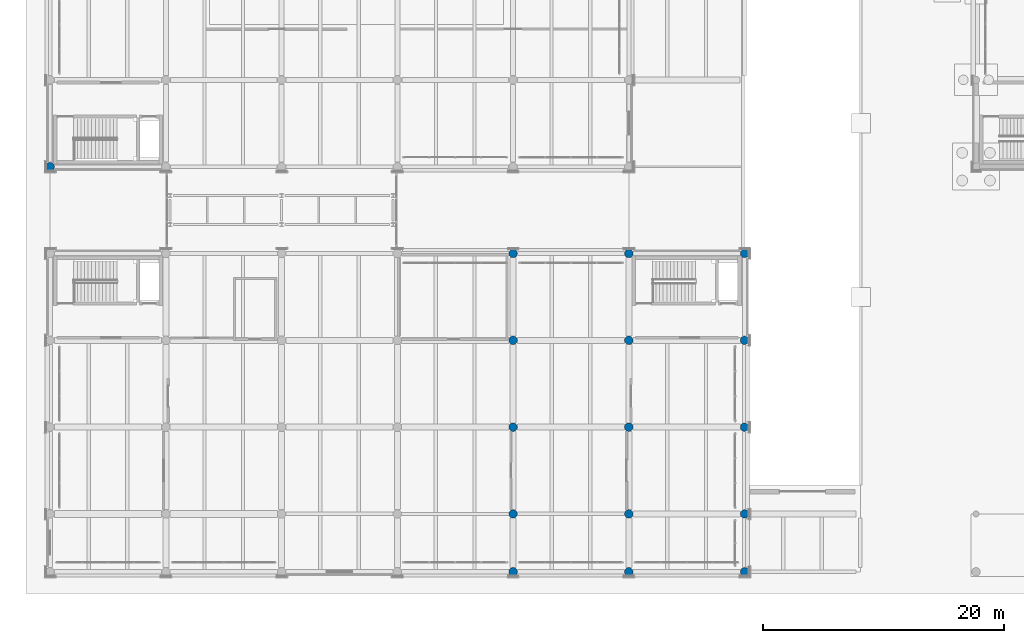
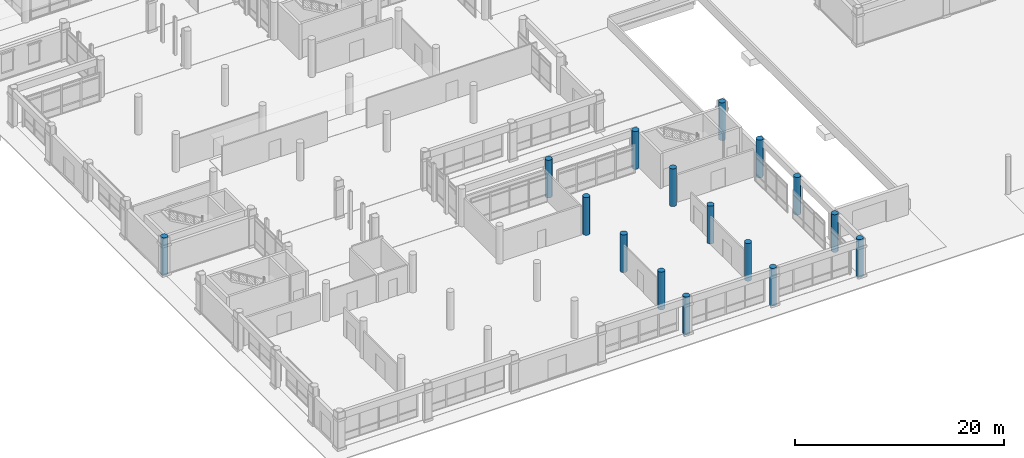
# One storey, part 11 of 196: 16 columns.
"""IFC4 building model written with IfcOpenShell, lengths in metres."""

from ifc_helpers import new_model, si_unit, direction, frame, origin, origin_2d, place, context, subcontext, project, spatial, circle, extrude, material, material_profile, profile_set, type_object, element, save


model = new_model("IFC4")

# Units and contexts
model_context = context("Model", 3, precision=1e-05, world=origin(), true_north=direction((0.0, 1.0)))
body_context = subcontext(model_context, "Body", "Model", "MODEL_VIEW")
ifc_project = project(units=[si_unit("LENGTHUNIT", "METRE"), si_unit("AREAUNIT", "SQUARE_METRE"), si_unit("VOLUMEUNIT", "CUBIC_METRE"), si_unit("PLANEANGLEUNIT", "RADIAN"), si_unit("MASSUNIT", "GRAM", prefix="KILO")], contexts=[model_context])

# Site, building, storey
site_placement = place(None, origin())
site = spatial("IfcSite", under=ifc_project, at=site_placement, CompositionType="ELEMENT")
building_placement = place(site_placement, origin())
building = spatial("IfcBuilding", under=site, at=building_placement, Name="Asteropetra Specialist Clinic", CompositionType="ELEMENT")
storey_placement = place(building_placement, origin())
storey = spatial("IfcBuildingStorey", under=building, at=storey_placement, Name="L00", CompositionType="ELEMENT", Elevation=0.0)

# Columns
ifc_material = material(Name="Concrete C35/45", Category="concrete")
ifc_material_profile = material_profile(ifc_material, circle(Radius=0.35009765625, at=origin_2d()), Name="RCC D700")
ifc_profile_set = profile_set([ifc_material_profile], Name="Concrete C35/45")
column_type = type_object("IfcColumnType", Name="COL-DORIC700", PredefinedType="COLUMN", material=ifc_profile_set)
for number, where, z_axis, x_axis, name in (
    (1, (0.0, 33.60009765625, 0.0), (0.0, 0.0, 1.0), (1.0, 0.0, 0.0), "Column CCOL13-0017"),
    (2, (38.39990234375, 0.0, 0.0), (0.0, 0.0, 1.0), (1.0, 0.0, 0.0), "Column CCOL13-0358"),
    (3, (38.39990234375, 4.800048828125, 0.0), (0.0, 0.0, 1.0), (1.0, 0.0, 0.0), "Column CCOL13-0361"),
    (4, (38.39990234375, 12.0, 0.0), (0.0, 0.0, 1.0), (1.0, 0.0, 0.0), "Column CCOL13-0364"),
    (5, (38.39990234375, 19.199951171875, 0.0), (0.0, 0.0, 1.0), (1.0, 0.0, 0.0), "Column CCOL13-0367"),
    (6, (38.39990234375, 26.39990234375, 0.0), (0.0, 0.0, 1.0), (1.0, 0.0, 0.0), "Column CCOL13-0370"),
    (7, (48.0, 0.0, 0.0), (0.0, 0.0, 1.0), (1.0, 0.0, 0.0), "Column CCOL13-0438"),
    (8, (48.0, 4.800048828125, 0.0), (0.0, 0.0, 1.0), (1.0, 0.0, 0.0), "Column CCOL13-0441"),
    (9, (48.0, 12.0, 0.0), (0.0, 0.0, 1.0), (1.0, 0.0, 0.0), "Column CCOL13-0444"),
    (10, (48.0, 19.199951171875, 0.0), (0.0, 0.0, 1.0), (1.0, 0.0, 0.0), "Column CCOL13-0447"),
    (11, (48.0, 26.39990234375, 0.0), (0.0, 0.0, 1.0), (1.0, 0.0, 0.0), "Column CCOL13-0450"),
    (12, (57.60009765625, 0.0, 0.0), (0.0, 0.0, 1.0), (1.0, 0.0, 0.0), "Column CCOL13-0496"),
    (13, (57.60009765625, 4.800048828125, 0.0), (0.0, 0.0, 1.0), (1.0, 0.0, 0.0), "Column CCOL13-0499"),
    (14, (57.60009765625, 12.0, 0.0), (0.0, 0.0, 1.0), (1.0, 0.0, 0.0), "Column CCOL13-0502"),
    (15, (57.60009765625, 19.199951171875, 0.0), (0.0, 0.0, 1.0), (1.0, 0.0, 0.0), "Column CCOL13-0505"),
    (16, (57.60009765625, 26.39990234375, 0.0), (0.0, 0.0, 1.0), (1.0, 0.0, 0.0), "Column CCOL13-0508"),
):
    element("IfcColumn", number, at=place(storey_placement, frame(where, z_axis=z_axis, x_axis=x_axis)), inside=storey, type_object=column_type, Name=name, PredefinedType="COLUMN", context=body_context, shape_type="SweptSolid", body=[
        extrude(circle(Radius=0.35009765625, at=origin_2d()), origin(), (0.0, 0.0, 1.0), 4.419921875),
    ])

save(model, "model.ifc")
